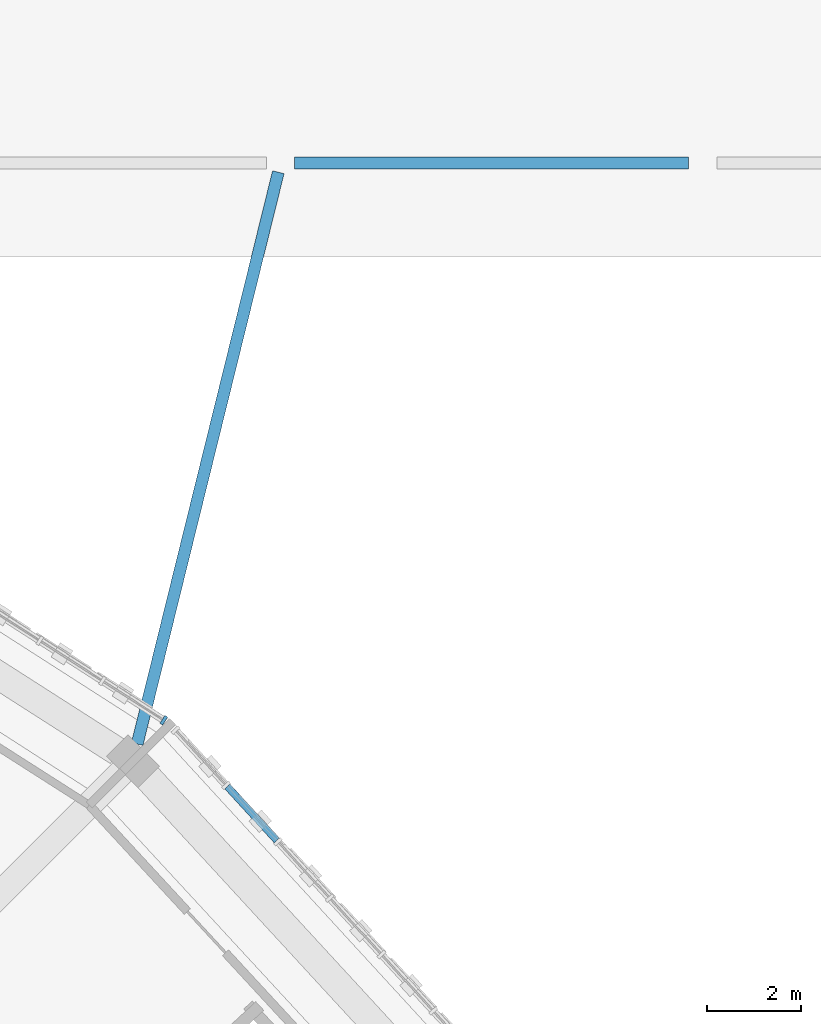
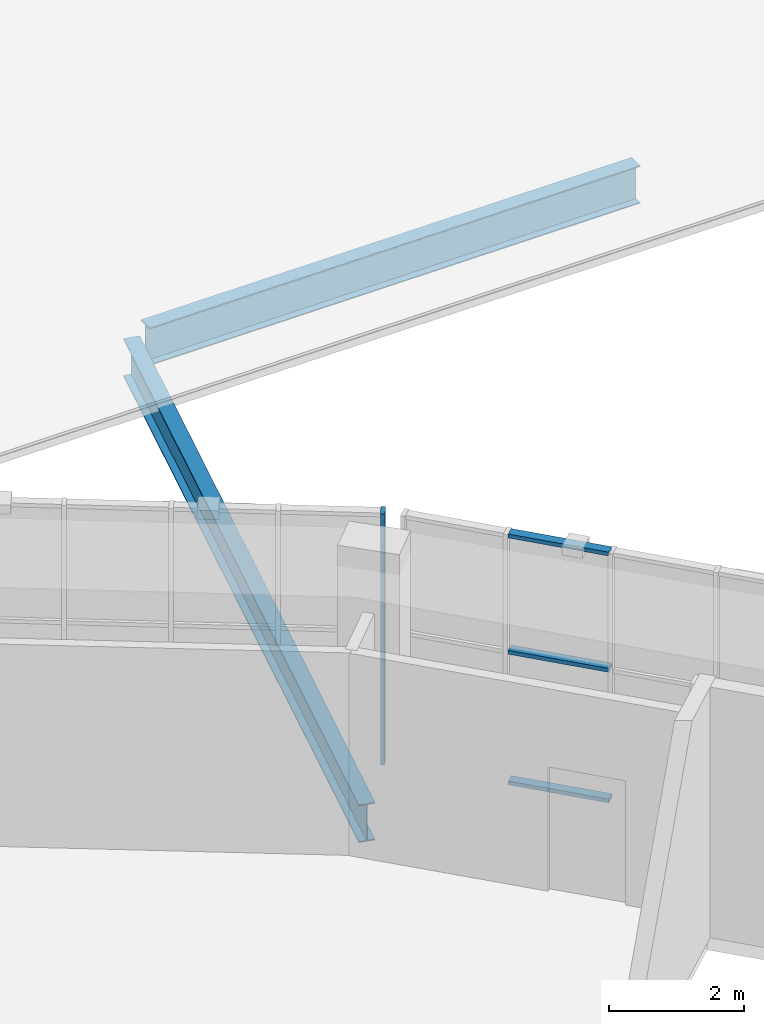
# One storey, part 46 of 108: 4 members, 2 beams, 2 elements without a shape of their own.
"""IFC4 building model written with IfcOpenShell, lengths in metres."""

import ifcopenshell
import ifcopenshell.guid

model = None  # the IFC model being written
_history = None  # IfcOwnerHistory: only IFC2X3 demands one
_inside = {}  # id of a spatial element -> (the spatial element, [elements in it])
_under = {}  # id of a project, library or spatial element -> (it, [spatial elements below it])
_declared = {}  # id of a project -> (the project, [libraries it declares])
_typed = {}  # id of a type object -> (the type object, [elements of that type])
_made_of = {}  # id of a material, layer set ... -> (it, [elements and type objects made of it])


def new_model(schema):
    """Start an empty IFC model of exactly this schema.

    Asked for "IFC4X3", IfcOpenShell would pick the latest addendum, in which some entities
    have other attributes; the version numbers below select the first issue.
    IFC2X3 requires an IfcOwnerHistory on every rooted entity: one is made here for all.
    """
    global model, _history
    if schema == "IFC4X3":
        model = ifcopenshell.file(schema_version=(4, 3, 0, 0))
    else:
        model = ifcopenshell.file(schema=schema)
    _inside.clear()
    _under.clear()
    _declared.clear()
    _typed.clear()
    _made_of.clear()
    _history = None
    if model.schema == "IFC2X3":
        org = make("IfcOrganization", Name="unknown")
        user = make(
            "IfcPersonAndOrganization",
            ThePerson=make("IfcPerson", FamilyName="unknown"),
            TheOrganization=org,
        )
        app = make(
            "IfcApplication",
            ApplicationDeveloper=org,
            Version="unknown",
            ApplicationFullName="unknown",
            ApplicationIdentifier="unknown",
        )
        _history = make(
            "IfcOwnerHistory",
            OwningUser=user,
            OwningApplication=app,
            ChangeAction="ADDED",
            CreationDate=0,
        )
    return model


def make(cls, **values):
    """One entity of the class cls with the attributes given. An attribute that is None is left unset."""
    return model.create_entity(
        cls, **{name: value for name, value in values.items() if value is not None}
    )


def rooted(cls, **values):
    """An entity with a GlobalId (a new one), such as an element, a storey or a relation."""
    return make(cls, GlobalId=ifcopenshell.guid.new(), OwnerHistory=_history, **values)


def si_unit(unit_type, name, prefix=None):
    """IfcSIUnit, for example si_unit("LENGTHUNIT", "METRE", prefix="MILLI")."""
    return make("IfcSIUnit", UnitType=unit_type, Prefix=prefix, Name=name)


def assignment(units):
    """IfcUnitAssignment: the units of a project."""
    return None if units is None else make("IfcUnitAssignment", Units=units)


def point(xyz):
    """IfcCartesianPoint."""
    return None if xyz is None else make("IfcCartesianPoint", Coordinates=xyz)


def direction(xyz):
    """IfcDirection."""
    return None if xyz is None else make("IfcDirection", DirectionRatios=xyz)


def frame(location, z_axis=None, x_axis=None):
    """IfcAxis2Placement3D, a coordinate frame: its origin and axes. An axis left out is left unset."""
    return make(
        "IfcAxis2Placement3D",
        Location=point(location),
        Axis=direction(z_axis),
        RefDirection=direction(x_axis),
    )


def frame_2d(location, x_axis=None):
    """IfcAxis2Placement2D, a coordinate frame in the plane: its origin and x axis."""
    return make(
        "IfcAxis2Placement2D", Location=point(location), RefDirection=direction(x_axis)
    )


def origin():
    """The frame at (0, 0, 0) with its axes left unset."""
    return frame((0.0, 0.0, 0.0))


def origin_2d():
    """The frame at (0, 0) in the plane with its x axis left unset."""
    return frame_2d((0.0, 0.0))


def place(relative_to, where):
    """IfcLocalPlacement: puts the frame where relative to a parent placement (None: the world)."""
    return make(
        "IfcLocalPlacement", PlacementRelTo=relative_to, RelativePlacement=where
    )


def context(
    kind, dimensions, precision=None, world=None, true_north=None, identifier=None
):
    """IfcGeometricRepresentationContext, for example the 3D "Model" context."""
    return make(
        "IfcGeometricRepresentationContext",
        ContextIdentifier=identifier,
        ContextType=kind,
        CoordinateSpaceDimension=dimensions,
        Precision=precision,
        WorldCoordinateSystem=world,
        TrueNorth=true_north,
    )


def subcontext(parent, identifier, kind, view, scale=None):
    """IfcGeometricRepresentationSubContext, for example "Body" below "Model"."""
    return make(
        "IfcGeometricRepresentationSubContext",
        ContextIdentifier=identifier,
        ContextType=kind,
        ParentContext=parent,
        TargetScale=scale,
        TargetView=view,
    )


def project(units=None, contexts=None):
    """IfcProject with its units and contexts."""
    return rooted(
        "IfcProject",
        Name="project",
        RepresentationContexts=contexts,
        UnitsInContext=assignment(units),
    )


def spatial(cls, under=None, at=None, **own):
    """A site, building, storey or space (cls), placed at a placement, below another one or the project."""
    s = rooted(cls, ObjectPlacement=at, **own)
    if under is not None:
        _under.setdefault(under.id(), (under, []))[1].append(s)
    return s


def profile(cls, at=None, kind="AREA", **sizes):
    """A parametric profile (cls). Its sizes go by their IFC names, for example OverallWidth=200.0."""
    return make(cls, ProfileType=kind, Position=at, **sizes)


def rectangle(**sizes):
    """IfcRectangleProfileDef."""
    return profile("IfcRectangleProfileDef", **sizes)


def i_section(**sizes):
    """IfcIShapeProfileDef."""
    return profile("IfcIShapeProfileDef", **sizes)


def extrude(swept, where, along, depth):
    """IfcExtrudedAreaSolid: the profile swept, set in the frame where, extruded along a direction by depth."""
    return make(
        "IfcExtrudedAreaSolid",
        SweptArea=swept,
        Position=where,
        ExtrudedDirection=direction(along),
        Depth=depth,
    )


def shape(context_of_items, identifier, shape_type, items):
    """IfcShapeRepresentation: the items that make up one representation, for example the "Body"."""
    return make(
        "IfcShapeRepresentation",
        ContextOfItems=context_of_items,
        RepresentationIdentifier=identifier,
        RepresentationType=shape_type,
        Items=items,
    )


def material(Name=None, Category=None):
    """IfcMaterial."""
    return make("IfcMaterial", Name=Name, Category=Category)


def material_profile(
    of_material, cross_section, Name=None, Category=None, Priority=None
):
    """IfcMaterialProfile: a cross section and its material."""
    return make(
        "IfcMaterialProfile",
        Name=Name,
        Material=of_material,
        Profile=cross_section,
        Priority=Priority,
        Category=Category,
    )


def profile_set(profiles, Name=None, composite=None):
    """IfcMaterialProfileSet."""
    return make(
        "IfcMaterialProfileSet",
        Name=Name,
        MaterialProfiles=profiles,
        CompositeProfile=composite,
    )


def made_of(thing, what):
    """Note that an element or type object is made of a material, layer set ...; save() writes the relation."""
    if what is not None:
        _made_of.setdefault(what.id(), (what, []))[1].append(thing)
    return thing


def type_object(cls, material=None, **own):
    """A type object (cls), such as IfcWallType, which elements share."""
    return made_of(rooted(cls, **own), material)


def element(
    cls,
    number,
    at=None,
    inside=None,
    cuts=None,
    type_object=None,
    material=None,
    context=None,
    identifier="Body",
    shape_type=None,
    held_by="IfcProductDefinitionShape",
    body=None,
    shapes=None,
    **own,
):
    """One element of the class cls, such as IfcWall. Its Tag is "e" and its number.

    at: its placement. inside: the storey or other place that contains it. cuts: it is an
    opening in that element (IfcRelVoidsElement). A single representation is given by context,
    identifier, shape_type and body (its items); several are given by shapes. held_by: the class
    of the entity that holds the representations. save() writes the other relations.
    """
    e = rooted(cls, Tag="e%d" % number, ObjectPlacement=at, **own)
    if body is not None:
        shapes = [shape(context, identifier, shape_type, body)]
    if shapes is not None:
        e.Representation = make(held_by, Representations=shapes)
    if inside is not None:
        _inside.setdefault(inside.id(), (inside, []))[1].append(e)
    if cuts is not None:
        rooted(
            "IfcRelVoidsElement", RelatingBuildingElement=cuts, RelatedOpeningElement=e
        )
    if type_object is not None:
        _typed.setdefault(type_object.id(), (type_object, []))[1].append(e)
    return made_of(e, material)


def aggregate(whole, parts):
    """IfcRelAggregates: a whole, such as a stair, and the parts it consists of."""
    return rooted("IfcRelAggregates", RelatingObject=whole, RelatedObjects=parts)


def save(model, path):
    """Write the relations noted so far, then the file.

    IfcRelAggregates (storeys below a building ...), IfcRelContainedInSpatialStructure (elements
    in a storey), IfcRelDefinesByType, IfcRelAssociatesMaterial and IfcRelDeclares: one each for
    every whole, place, type object, material and project.
    """
    for whole, parts in _under.values():
        aggregate(whole, parts)
    for where, things in _inside.values():
        rooted(
            "IfcRelContainedInSpatialStructure",
            RelatedElements=things,
            RelatingStructure=where,
        )
    for kind, things in _typed.values():
        rooted("IfcRelDefinesByType", RelatedObjects=things, RelatingType=kind)
    for what, things in _made_of.values():
        rooted("IfcRelAssociatesMaterial", RelatedObjects=things, RelatingMaterial=what)
    for by, libraries in _declared.values():
        rooted("IfcRelDeclares", RelatingContext=by, RelatedDefinitions=libraries)
    model.write(path)


model = new_model("IFC4")

# Units and contexts
model_context = context("Model", 3, precision=1e-05, world=origin(), true_north=direction((0.0, 1.0)))
body_context = subcontext(model_context, "Body", "Model", "MODEL_VIEW")
ifc_project = project(units=[si_unit("LENGTHUNIT", "METRE"), si_unit("AREAUNIT", "SQUARE_METRE"), si_unit("VOLUMEUNIT", "CUBIC_METRE"), si_unit("PLANEANGLEUNIT", "RADIAN"), si_unit("MASSUNIT", "GRAM", prefix="KILO")], contexts=[model_context])

# Site, building, storey
site_placement = place(None, origin())
site = spatial("IfcSite", under=ifc_project, at=site_placement, CompositionType="ELEMENT")
building_placement = place(site_placement, origin())
building = spatial("IfcBuilding", under=site, at=building_placement, Name="Zevraka Park Crest Stadium", CompositionType="ELEMENT")
storey_placement = place(building_placement, frame((0.0, 0.0, 19.800048828125)))
storey = spatial("IfcBuildingStorey", under=building, at=storey_placement, Name="L04", CompositionType="ELEMENT", Elevation=19.800048828125)

# Beams
ifc_material_1 = material(Name="Steel S355", Category="steel")
ifc_material_profile_1 = material_profile(ifc_material_1, i_section(OverallWidth=0.253662109375, OverallDepth=0.68359375, WebThickness=0.012451171875, FlangeThickness=0.01904296875, at=origin_2d()), Name="UKB 686x254x140")
ifc_profile_set_1 = profile_set([ifc_material_profile_1], Name="Steel S355")
beam_type = type_object("IfcBeamType", Name="BG05", PredefinedType="BEAM", material=ifc_profile_set_1)
beam_1_placement = place(storey_placement, frame((179.300048828125, 158.0, -0.60986328125), z_axis=(1.0, 0.0, 0.0), x_axis=(0.0, 1.0, 0.0)))
element("IfcBeam", 1, at=beam_1_placement, inside=storey, type_object=beam_type, Name="Wing Girder BG05 L04-2021/T", PredefinedType="BEAM", context=body_context, shape_type="SweptSolid", body=[
    extrude(i_section(OverallWidth=0.253662109375, OverallDepth=0.68359375, WebThickness=0.012451171875, FlangeThickness=0.01904296875, at=origin_2d()), origin(), (0.0, 0.0, 1.0), 8.39990234375),
])
beam_2_placement = place(storey_placement, frame((178.951904296875, 157.805908203125, -0.60986328125), z_axis=(-0.23959769566, -0.970872259483, 0.0), x_axis=(0.970872259483, -0.23959769566, 0.0)))
element("IfcBeam", 2, at=beam_2_placement, inside=storey, type_object=beam_type, Name="Wing Link Girder BG05 L04-20/T", PredefinedType="BEAM", context=body_context, shape_type="SweptSolid", body=[
    extrude(i_section(OverallWidth=0.253662109375, OverallDepth=0.68359375, WebThickness=0.012451171875, FlangeThickness=0.01904296875, at=origin_2d()), origin(), (0.0, 0.0, 1.0), 12.5576171875),
])

# Curtain wall, member
ifc_material_2 = material(Name="Anodised architectural aluminium and laminated safety glass", Category="aluminium")
curtain_wall_type = type_object("IfcCurtainWallType", Name="CW18", PredefinedType="NOTDEFINED", material=ifc_material_2)
curtain_wall_1_placement = place(storey_placement, origin())
curtain_wall_1 = element("IfcCurtainWall", 3, at=curtain_wall_1_placement, inside=storey, type_object=curtain_wall_type, Name="Unitised Ring Curtain Wall CW18 L04-03", PredefinedType="NOTDEFINED")
ifc_material_3 = material(Name="Anodised architectural aluminium", Category="aluminium")
ifc_material_profile_2 = material_profile(ifc_material_3, rectangle(XDim=0.199951171875, YDim=0.070068359375, at=origin_2d()), Name="ALU MULLION 200x70")
ifc_profile_set_2 = profile_set([ifc_material_profile_2], Name="Anodised architectural aluminium")
member_type_1 = type_object("IfcMemberType", Name="CM03", PredefinedType="MULLION", material=ifc_profile_set_2)
member_1_placement = place(storey_placement, frame((176.509521484375, 146.120849609375, 0.0), z_axis=(0.0, 0.0, 1.0), x_axis=(-0.539979944029, -0.841677883781, 0.0)))
member_1 = element("IfcMember", 4, at=member_1_placement, type_object=member_type_1, Name="CW18 mullion 1", PredefinedType="MULLION", context=body_context, shape_type="SweptSolid", body=[
    extrude(rectangle(XDim=0.199951171875, YDim=0.070068359375, at=origin_2d()), origin(), (0.0, 0.0, 1.0), 4.5400390625),
])
aggregate(curtain_wall_1, [member_1])

# Curtain wall, members
curtain_wall_2_placement = place(storey_placement, origin())
curtain_wall_2 = element("IfcCurtainWall", 5, at=curtain_wall_2_placement, inside=storey, type_object=curtain_wall_type, Name="Unitised Ring Curtain Wall CW18 L04-02", PredefinedType="NOTDEFINED")
ifc_material_4 = material(Name="Anodised architectural aluminium", Category="aluminium")
ifc_material_profile_3 = material_profile(ifc_material_4, rectangle(XDim=0.14990234375, YDim=0.070068359375, at=origin_2d()), Name="ALU TRANSOM 150x70")
ifc_profile_set_3 = profile_set([ifc_material_profile_3], Name="Anodised architectural aluminium")
member_type_2 = type_object("IfcMemberType", Name="CT03", PredefinedType="USERDEFINED", material=ifc_profile_set_3)
member_2_placement = place(storey_placement, frame((178.920166015625, 143.556884765625, 0.034912109375), z_axis=(-0.67614898138, 0.736764925182, 0.0), x_axis=(-0.736764925182, -0.67614898138, 0.0)))
member_2 = element("IfcMember", 6, at=member_2_placement, type_object=member_type_2, Name="CW18 transom 12.1", ObjectType="TRANSOM", PredefinedType="USERDEFINED", context=body_context, shape_type="SweptSolid", body=[
    extrude(rectangle(XDim=0.14990234375, YDim=0.070068359375, at=origin_2d()), origin(), (0.0, 0.0, 1.0), 1.562744140625),
])
member_3_placement = place(storey_placement, frame((178.920166015625, 143.556884765625, 2.39990234375), z_axis=(-0.67614898138, 0.736764925182, 0.0), x_axis=(-0.736764925182, -0.67614898138, 0.0)))
member_3 = element("IfcMember", 7, at=member_3_placement, type_object=member_type_2, Name="CW18 transom 12.2", ObjectType="TRANSOM", PredefinedType="USERDEFINED", context=body_context, shape_type="SweptSolid", body=[
    extrude(rectangle(XDim=0.14990234375, YDim=0.070068359375, at=origin_2d()), origin(), (0.0, 0.0, 1.0), 1.562744140625),
])
member_4_placement = place(storey_placement, frame((178.920166015625, 143.556884765625, 4.5048828125), z_axis=(-0.67614898138, 0.736764925182, 0.0), x_axis=(-0.736764925182, -0.67614898138, 0.0)))
member_4 = element("IfcMember", 8, at=member_4_placement, type_object=member_type_2, Name="CW18 transom 12.3", ObjectType="TRANSOM", PredefinedType="USERDEFINED", context=body_context, shape_type="SweptSolid", body=[
    extrude(rectangle(XDim=0.14990234375, YDim=0.070068359375, at=origin_2d()), origin(), (0.0, 0.0, 1.0), 1.562744140625),
])
aggregate(curtain_wall_2, [member_2, member_3, member_4])

save(model, "model.ifc")
